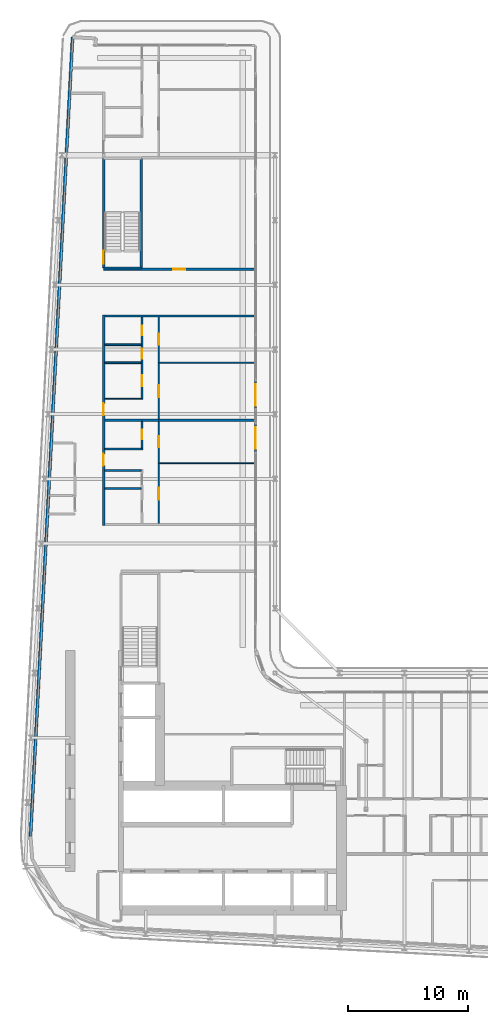
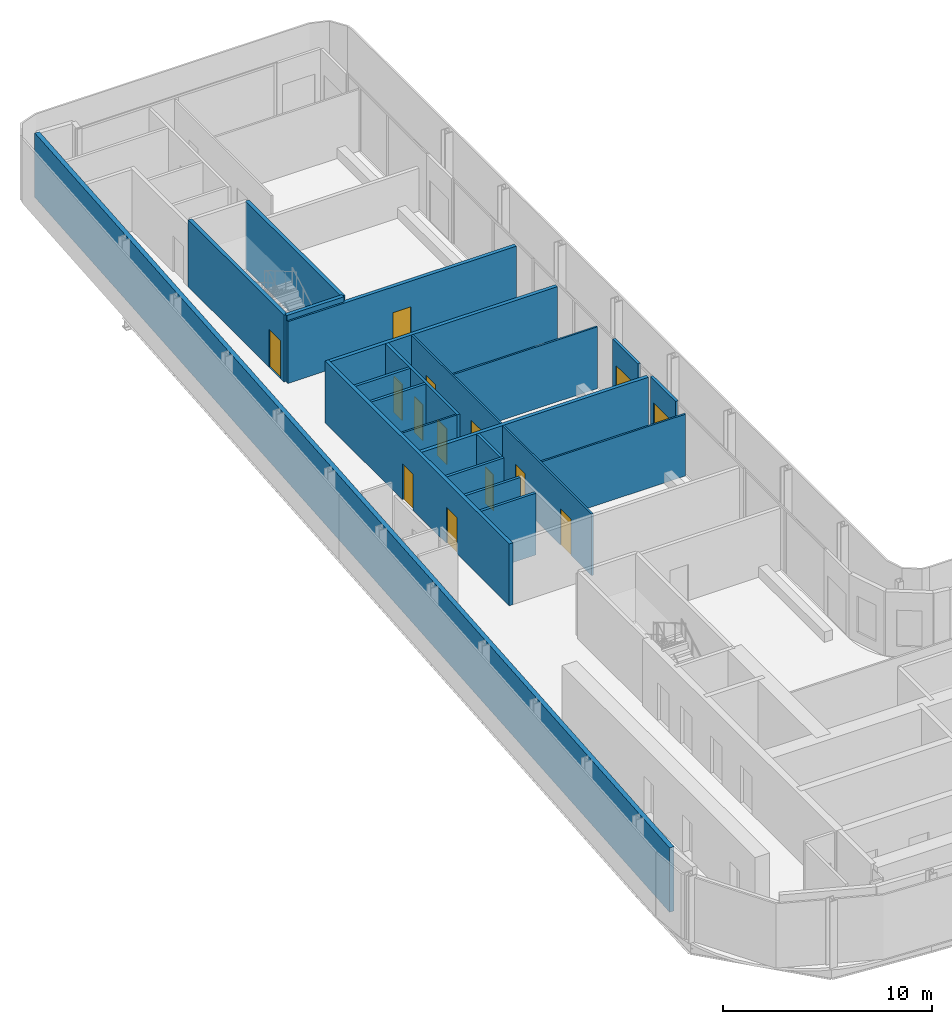
# One storey, part 20 of 30: 22 walls, 14 doors, 14 openings.
"""IFC4 building model written with IfcOpenShell, lengths in metres."""

import ifcopenshell
import ifcopenshell.guid

model = None  # the IFC model being written
_history = None  # IfcOwnerHistory: only IFC2X3 demands one
_inside = {}  # id of a spatial element -> (the spatial element, [elements in it])
_under = {}  # id of a project, library or spatial element -> (it, [spatial elements below it])
_declared = {}  # id of a project -> (the project, [libraries it declares])
_typed = {}  # id of a type object -> (the type object, [elements of that type])
_made_of = {}  # id of a material, layer set ... -> (it, [elements and type objects made of it])


def new_model(schema):
    """Start an empty IFC model of exactly this schema.

    Asked for "IFC4X3", IfcOpenShell would pick the latest addendum, in which some entities
    have other attributes; the version numbers below select the first issue.
    IFC2X3 requires an IfcOwnerHistory on every rooted entity: one is made here for all.
    """
    global model, _history
    if schema == "IFC4X3":
        model = ifcopenshell.file(schema_version=(4, 3, 0, 0))
    else:
        model = ifcopenshell.file(schema=schema)
    _inside.clear()
    _under.clear()
    _declared.clear()
    _typed.clear()
    _made_of.clear()
    _history = None
    if model.schema == "IFC2X3":
        org = make("IfcOrganization", Name="unknown")
        user = make(
            "IfcPersonAndOrganization",
            ThePerson=make("IfcPerson", FamilyName="unknown"),
            TheOrganization=org,
        )
        app = make(
            "IfcApplication",
            ApplicationDeveloper=org,
            Version="unknown",
            ApplicationFullName="unknown",
            ApplicationIdentifier="unknown",
        )
        _history = make(
            "IfcOwnerHistory",
            OwningUser=user,
            OwningApplication=app,
            ChangeAction="ADDED",
            CreationDate=0,
        )
    return model


def make(cls, **values):
    """One entity of the class cls with the attributes given. An attribute that is None is left unset."""
    return model.create_entity(
        cls, **{name: value for name, value in values.items() if value is not None}
    )


def rooted(cls, **values):
    """An entity with a GlobalId (a new one), such as an element, a storey or a relation."""
    return make(cls, GlobalId=ifcopenshell.guid.new(), OwnerHistory=_history, **values)


def si_unit(unit_type, name, prefix=None):
    """IfcSIUnit, for example si_unit("LENGTHUNIT", "METRE", prefix="MILLI")."""
    return make("IfcSIUnit", UnitType=unit_type, Prefix=prefix, Name=name)


def assignment(units):
    """IfcUnitAssignment: the units of a project."""
    return None if units is None else make("IfcUnitAssignment", Units=units)


def point(xyz):
    """IfcCartesianPoint."""
    return None if xyz is None else make("IfcCartesianPoint", Coordinates=xyz)


def direction(xyz):
    """IfcDirection."""
    return None if xyz is None else make("IfcDirection", DirectionRatios=xyz)


def frame(location, z_axis=None, x_axis=None):
    """IfcAxis2Placement3D, a coordinate frame: its origin and axes. An axis left out is left unset."""
    return make(
        "IfcAxis2Placement3D",
        Location=point(location),
        Axis=direction(z_axis),
        RefDirection=direction(x_axis),
    )


def frame_2d(location, x_axis=None):
    """IfcAxis2Placement2D, a coordinate frame in the plane: its origin and x axis."""
    return make(
        "IfcAxis2Placement2D", Location=point(location), RefDirection=direction(x_axis)
    )


def origin():
    """The frame at (0, 0, 0) with its axes left unset."""
    return frame((0.0, 0.0, 0.0))


def place(relative_to, where):
    """IfcLocalPlacement: puts the frame where relative to a parent placement (None: the world)."""
    return make(
        "IfcLocalPlacement", PlacementRelTo=relative_to, RelativePlacement=where
    )


def context(
    kind, dimensions, precision=None, world=None, true_north=None, identifier=None
):
    """IfcGeometricRepresentationContext, for example the 3D "Model" context."""
    return make(
        "IfcGeometricRepresentationContext",
        ContextIdentifier=identifier,
        ContextType=kind,
        CoordinateSpaceDimension=dimensions,
        Precision=precision,
        WorldCoordinateSystem=world,
        TrueNorth=true_north,
    )


def subcontext(parent, identifier, kind, view, scale=None):
    """IfcGeometricRepresentationSubContext, for example "Body" below "Model"."""
    return make(
        "IfcGeometricRepresentationSubContext",
        ContextIdentifier=identifier,
        ContextType=kind,
        ParentContext=parent,
        TargetScale=scale,
        TargetView=view,
    )


def project(units=None, contexts=None):
    """IfcProject with its units and contexts."""
    return rooted(
        "IfcProject",
        Name="project",
        RepresentationContexts=contexts,
        UnitsInContext=assignment(units),
    )


def spatial(cls, under=None, at=None, **own):
    """A site, building, storey or space (cls), placed at a placement, below another one or the project."""
    s = rooted(cls, ObjectPlacement=at, **own)
    if under is not None:
        _under.setdefault(under.id(), (under, []))[1].append(s)
    return s


def profile(cls, at=None, kind="AREA", **sizes):
    """A parametric profile (cls). Its sizes go by their IFC names, for example OverallWidth=200.0."""
    return make(cls, ProfileType=kind, Position=at, **sizes)


def rectangle(**sizes):
    """IfcRectangleProfileDef."""
    return profile("IfcRectangleProfileDef", **sizes)


def extrude(swept, where, along, depth):
    """IfcExtrudedAreaSolid: the profile swept, set in the frame where, extruded along a direction by depth."""
    return make(
        "IfcExtrudedAreaSolid",
        SweptArea=swept,
        Position=where,
        ExtrudedDirection=direction(along),
        Depth=depth,
    )


def shape(context_of_items, identifier, shape_type, items):
    """IfcShapeRepresentation: the items that make up one representation, for example the "Body"."""
    return make(
        "IfcShapeRepresentation",
        ContextOfItems=context_of_items,
        RepresentationIdentifier=identifier,
        RepresentationType=shape_type,
        Items=items,
    )


def source(mapping_origin, context_of_items, identifier, shape_type, items):
    """IfcRepresentationMap: a shape defined once, which mapped items show again and again."""
    return make(
        "IfcRepresentationMap",
        MappingOrigin=mapping_origin,
        MappedRepresentation=shape(context_of_items, identifier, shape_type, items),
    )


def transform(
    local_origin,
    x_axis=None,
    y_axis=None,
    z_axis=None,
    scale=None,
    scale2=None,
    scale3=None,
    uniform=True,
):
    """IfcCartesianTransformationOperator3D, or its non-uniform kind. x_axis, y_axis, z_axis: its Axis1, 2, 3."""
    if uniform:
        return make(
            "IfcCartesianTransformationOperator3D",
            Axis1=direction(x_axis),
            Axis2=direction(y_axis),
            LocalOrigin=point(local_origin),
            Scale=scale,
            Axis3=direction(z_axis),
        )
    return make(
        "IfcCartesianTransformationOperator3DnonUniform",
        Axis1=direction(x_axis),
        Axis2=direction(y_axis),
        LocalOrigin=point(local_origin),
        Scale=scale,
        Axis3=direction(z_axis),
        Scale2=scale2,
        Scale3=scale3,
    )


def mapped(mapping_source, mapping_target):
    """IfcMappedItem: shows the shape of a source again, moved by a transform."""
    return make(
        "IfcMappedItem", MappingSource=mapping_source, MappingTarget=mapping_target
    )


def material(Name=None, Category=None):
    """IfcMaterial."""
    return make("IfcMaterial", Name=Name, Category=Category)


def layer(
    of_material, thickness, ventilated=None, Name=None, Category=None, Priority=None
):
    """IfcMaterialLayer: one layer of a wall or slab, of a material (None: an air gap)."""
    return make(
        "IfcMaterialLayer",
        Material=of_material,
        LayerThickness=thickness,
        IsVentilated=ventilated,
        Name=Name,
        Category=Category,
        Priority=Priority,
    )


def layer_set(layers, Name=None):
    """IfcMaterialLayerSet."""
    return make("IfcMaterialLayerSet", MaterialLayers=layers, LayerSetName=Name)


def made_of(thing, what):
    """Note that an element or type object is made of a material, layer set ...; save() writes the relation."""
    if what is not None:
        _made_of.setdefault(what.id(), (what, []))[1].append(thing)
    return thing


def type_object(cls, material=None, **own):
    """A type object (cls), such as IfcWallType, which elements share."""
    return made_of(rooted(cls, **own), material)


def element(
    cls,
    number,
    at=None,
    inside=None,
    cuts=None,
    type_object=None,
    material=None,
    context=None,
    identifier="Body",
    shape_type=None,
    held_by="IfcProductDefinitionShape",
    body=None,
    shapes=None,
    **own,
):
    """One element of the class cls, such as IfcWall. Its Tag is "e" and its number.

    at: its placement. inside: the storey or other place that contains it. cuts: it is an
    opening in that element (IfcRelVoidsElement). A single representation is given by context,
    identifier, shape_type and body (its items); several are given by shapes. held_by: the class
    of the entity that holds the representations. save() writes the other relations.
    """
    e = rooted(cls, Tag="e%d" % number, ObjectPlacement=at, **own)
    if body is not None:
        shapes = [shape(context, identifier, shape_type, body)]
    if shapes is not None:
        e.Representation = make(held_by, Representations=shapes)
    if inside is not None:
        _inside.setdefault(inside.id(), (inside, []))[1].append(e)
    if cuts is not None:
        rooted(
            "IfcRelVoidsElement", RelatingBuildingElement=cuts, RelatedOpeningElement=e
        )
    if type_object is not None:
        _typed.setdefault(type_object.id(), (type_object, []))[1].append(e)
    return made_of(e, material)


def fill(opening, filler):
    """IfcRelFillsElement: the door or window that sits in an opening."""
    return rooted(
        "IfcRelFillsElement",
        RelatingOpeningElement=opening,
        RelatedBuildingElement=filler,
    )


def aggregate(whole, parts):
    """IfcRelAggregates: a whole, such as a stair, and the parts it consists of."""
    return rooted("IfcRelAggregates", RelatingObject=whole, RelatedObjects=parts)


def save(model, path):
    """Write the relations noted so far, then the file.

    IfcRelAggregates (storeys below a building ...), IfcRelContainedInSpatialStructure (elements
    in a storey), IfcRelDefinesByType, IfcRelAssociatesMaterial and IfcRelDeclares: one each for
    every whole, place, type object, material and project.
    """
    for whole, parts in _under.values():
        aggregate(whole, parts)
    for where, things in _inside.values():
        rooted(
            "IfcRelContainedInSpatialStructure",
            RelatedElements=things,
            RelatingStructure=where,
        )
    for kind, things in _typed.values():
        rooted("IfcRelDefinesByType", RelatedObjects=things, RelatingType=kind)
    for what, things in _made_of.values():
        rooted("IfcRelAssociatesMaterial", RelatedObjects=things, RelatingMaterial=what)
    for by, libraries in _declared.values():
        rooted("IfcRelDeclares", RelatingContext=by, RelatedDefinitions=libraries)
    model.write(path)


model = new_model("IFC4")

# Units and contexts
model_context = context("Model", 3, precision=1e-05, world=origin(), true_north=direction((0.0, 1.0)))
body_context = subcontext(model_context, "Body", "Model", "MODEL_VIEW")
ifc_project = project(units=[si_unit("LENGTHUNIT", "METRE"), si_unit("AREAUNIT", "SQUARE_METRE"), si_unit("VOLUMEUNIT", "CUBIC_METRE"), si_unit("PLANEANGLEUNIT", "RADIAN"), si_unit("MASSUNIT", "GRAM", prefix="KILO")], contexts=[model_context])

# Site, building, storey
site_placement = place(None, origin())
site = spatial("IfcSite", under=ifc_project, at=site_placement, CompositionType="ELEMENT")
building_placement = place(site_placement, origin())
building = spatial("IfcBuilding", under=site, at=building_placement, Name="Kheshtan School and Residences Tower", CompositionType="ELEMENT")
storey_placement = place(building_placement, frame((0.0, 0.0, 199.39990234375)))
storey = spatial("IfcBuildingStorey", under=building, at=storey_placement, Name="L47", CompositionType="ELEMENT", Elevation=199.39990234375)

# Wall, openings, doors
ifc_material_1 = material(Name="Gypsum board on steel studs with fire boards", Category="steel")
ifc_layer_1 = layer(ifc_material_1, 0.199951171875)
ifc_layer_set_1 = layer_set([ifc_layer_1], Name="Corridor wall 200")
wall_type_1 = type_object("IfcWallType", Name="Corridor wall 200", PredefinedType="PARTITIONING", material=ifc_layer_set_1)
wall_1_placement = place(storey_placement, frame((33.300048828125, 57.89990234375, 0.0), z_axis=(0.0, 0.0, 1.0), x_axis=(0.0, 1.0, 0.0)))
wall_1 = element("IfcWall", 1, at=wall_1_placement, inside=storey, type_object=wall_type_1, Name="Partition L47-003", PredefinedType="PARTITIONING", context=body_context, shape_type="SweptSolid", body=[
    extrude(rectangle(XDim=17.60009765625, YDim=0.199951171875, at=frame_2d((8.800048828125, 0.0))), origin(), (0.0, 0.0, 1.0), 3.60009765625),
])
opening_1_placement = place(wall_1_placement, frame((5.0, 0.0, 0.0)))
opening_1 = element("IfcOpeningElement", 2, at=opening_1_placement, cuts=wall_1, Name="Opening D46-038", PredefinedType="OPENING", context=body_context, shape_type="SweptSolid", body=[
    extrude(rectangle(XDim=1.0, YDim=2.10009765625, at=frame_2d((0.5, 1.050048828125))), frame((0.0, 0.10986328125, 0.0), z_axis=(0.0, -1.0, 0.0), x_axis=(1.0, 0.0, 0.0)), (0.0, 0.0, 1.0), 0.219970703125),
])
opening_2_placement = place(wall_1_placement, frame((9.199951171875, 0.0, 0.0)))
opening_2 = element("IfcOpeningElement", 3, at=opening_2_placement, cuts=wall_1, Name="Opening D46-044", PredefinedType="OPENING", context=body_context, shape_type="SweptSolid", body=[
    extrude(rectangle(XDim=1.0, YDim=2.10009765625, at=frame_2d((0.5, 1.050048828125))), frame((0.0, 0.10986328125, 0.0), z_axis=(0.0, -1.0, 0.0), x_axis=(1.0, 0.0, 0.0)), (0.0, 0.0, 1.0), 0.219970703125),
])
ifc_material_2 = material(Name="Steel-framed fire-resisting door leaf", Category="steel")
door_type_1 = type_object("IfcDoorType", Name="Fire door FD30S 1000 x 2100", OperationType="SINGLE_SWING_LEFT", PredefinedType="DOOR", material=ifc_material_2)
shared_shape_1 = source(origin(), body_context, "Body", "SweptSolid", [
    extrude(rectangle(XDim=1.0, YDim=2.10009765625, at=frame_2d((0.5, 1.050048828125))), frame((0.0, 0.02490234375, 0.0), z_axis=(0.0, -1.0, 0.0), x_axis=(1.0, 0.0, 0.0)), (0.0, 0.0, 1.0), 0.050048828125),
])
door_1_placement = place(opening_1_placement, origin())
door_1 = element("IfcDoor", 4, at=door_1_placement, inside=storey, type_object=door_type_1, Name="Door D46-038", OperationType="SINGLE_SWING_LEFT", OverallHeight=2.10009765625, OverallWidth=1.0, PredefinedType="DOOR", context=body_context, shape_type="MappedRepresentation", body=[
    mapped(shared_shape_1, transform((0.0, 0.0, 0.0), x_axis=(1.0, 0.0, 0.0), y_axis=(0.0, 1.0, 0.0), z_axis=(0.0, 0.0, 1.0), scale=1.0)),
])
fill(opening_1, door_1)
door_2_placement = place(opening_2_placement, origin())
door_2 = element("IfcDoor", 5, at=door_2_placement, inside=storey, type_object=door_type_1, Name="Door D46-044", OperationType="SINGLE_SWING_RIGHT", OverallHeight=2.10009765625, OverallWidth=1.0, PredefinedType="DOOR", context=body_context, shape_type="MappedRepresentation", body=[
    mapped(shared_shape_1, transform((0.0, 0.0, 0.0), x_axis=(1.0, 0.0, 0.0), y_axis=(0.0, 1.0, 0.0), z_axis=(0.0, 0.0, 1.0), scale=1.0)),
])
fill(opening_2, door_2)

# Wall, opening, door
wall_2_placement = place(storey_placement, frame((33.300048828125, 79.300048828125, 0.0), z_axis=(0.0, 0.0, 1.0), x_axis=(1.0, 0.0, 0.0)))
wall_2 = element("IfcWall", 6, at=wall_2_placement, inside=storey, type_object=wall_type_1, Name="Partition L47-004", PredefinedType="PARTITIONING", context=body_context, shape_type="SweptSolid", body=[
    extrude(rectangle(XDim=12.599853515625, YDim=0.199951171875, at=frame_2d((6.2998046875, 0.0))), origin(), (0.0, 0.0, 1.0), 3.60009765625),
])
opening_3_placement = place(wall_2_placement, frame((5.794921875, 0.0, 0.0)))
opening_3 = element("IfcOpeningElement", 7, at=opening_3_placement, cuts=wall_2, Name="Opening D46-057", PredefinedType="OPENING", context=body_context, shape_type="SweptSolid", body=[
    extrude(rectangle(XDim=1.0, YDim=2.10009765625, at=frame_2d((0.5, 1.050048828125))), frame((0.0, 0.10986328125, 0.0), z_axis=(0.0, -1.0, 0.0), x_axis=(1.0, 0.0, 0.0)), (0.0, 0.0, 1.0), 0.219970703125),
])
door_type_2 = type_object("IfcDoorType", Name="Fire door FD60 1000 x 2100", OperationType="SINGLE_SWING_LEFT", PredefinedType="DOOR", material=ifc_material_2)
shared_shape_2 = source(origin(), body_context, "Body", "SweptSolid", [
    extrude(rectangle(XDim=1.0, YDim=2.10009765625, at=frame_2d((0.5, 1.050048828125))), frame((0.0, 0.02490234375, 0.0), z_axis=(0.0, -1.0, 0.0), x_axis=(1.0, 0.0, 0.0)), (0.0, 0.0, 1.0), 0.050048828125),
])
door_3_placement = place(opening_3_placement, origin())
door_3 = element("IfcDoor", 8, at=door_3_placement, inside=storey, type_object=door_type_2, Name="Door D46-057", OperationType="SINGLE_SWING_RIGHT", OverallHeight=2.10009765625, OverallWidth=1.0, PredefinedType="DOOR", context=body_context, shape_type="MappedRepresentation", body=[
    mapped(shared_shape_2, transform((0.0, 0.0, 0.0), x_axis=(1.0, 0.0, 0.0), y_axis=(0.0, 1.0, 0.0), z_axis=(0.0, 0.0, 1.0), scale=1.0)),
])
fill(opening_3, door_3)

# Walls
wall_3_placement = place(storey_placement, frame((33.39990234375, 75.39990234375, 0.0), z_axis=(0.0, 0.0, 1.0), x_axis=(1.0, 0.0, 0.0)))
element("IfcWall", 9, at=wall_3_placement, inside=storey, type_object=wall_type_1, Name="Partition L47-014", PredefinedType="PARTITIONING", context=body_context, shape_type="SweptSolid", body=[
    extrude(rectangle(XDim=12.5, YDim=0.199951171875, at=frame_2d((6.25, 0.0))), origin(), (0.0, 0.0, 1.0), 3.60009765625),
])
ifc_material_3 = material(Name="Concrete C40/50 with ceramic cladding and mineral wool insulation", Category="concrete")
ifc_layer_2 = layer(ifc_material_3, 0.25)
ifc_layer_set_2 = layer_set([ifc_layer_2], Name="External wall 250 ceramic clad")
wall_type_2 = type_object("IfcWallType", Name="External wall 250 ceramic clad", PredefinedType="SOLIDWALL", material=ifc_layer_set_2)
wall_4_placement = place(storey_placement, frame((27.195068359375, 31.968994140625, 0.0), z_axis=(0.0, 0.0, 1.0), x_axis=(0.052554995867, 0.998618031286, 0.0)))
element("IfcWall", 10, at=wall_4_placement, inside=storey, type_object=wall_type_2, Name="External wall L47 4", PredefinedType="SOLIDWALL", context=body_context, shape_type="SweptSolid", body=[
    extrude(rectangle(XDim=66.787353515625, YDim=0.25, at=frame_2d((33.3935546875, 0.0))), origin(), (0.0, 0.0, 1.0), 3.75),
])

# Wall, opening, door
ifc_material_4 = material(Name="Aluminium frame wall with insulated infill", Category="aluminium")
ifc_layer_3 = layer(ifc_material_4, 0.14990234375)
ifc_layer_set_3 = layer_set([ifc_layer_3], Name="Glazing frame wall 150")
wall_type_3 = type_object("IfcWallType", Name="Glazing frame wall 150", PredefinedType="SOLIDWALL", material=ifc_layer_set_3)
wall_5_placement = place(storey_placement, frame((45.97509765625, 70.01806640625, 0.0), z_axis=(0.0, 0.0, 1.0), x_axis=(0.0, -1.0, 0.0)))
wall_5 = element("IfcWall", 11, at=wall_5_placement, inside=storey, type_object=wall_type_3, Name="Balcony door wall L47 8.3", PredefinedType="SOLIDWALL", context=body_context, shape_type="SweptSolid", body=[
    extrude(rectangle(XDim=2.400146484375, YDim=0.14990234375, at=frame_2d((1.2001953125, 0.0))), origin(), (0.0, 0.0, 1.0), 3.75),
])
opening_4_placement = place(wall_5_placement, frame((0.300048828125, 0.0, 0.0)))
opening_4 = element("IfcOpeningElement", 12, at=opening_4_placement, cuts=wall_5, Name="Opening BD", PredefinedType="OPENING", context=body_context, shape_type="SweptSolid", body=[
    extrude(rectangle(XDim=1.800048828125, YDim=2.39990234375, at=frame_2d((0.89990234375, 1.199951171875))), frame((0.0, 0.0849609375, 0.0), z_axis=(0.0, -1.0, 0.0), x_axis=(1.0, 0.0, 0.0)), (0.0, 0.0, 1.0), 0.169921875),
])
ifc_material_5 = material(Name="Clear low-e glass in thermally broken aluminium frame", Category="aluminium")
door_type_3 = type_object("IfcDoorType", Name="Balcony sliding door", OperationType="SLIDING_TO_LEFT", PredefinedType="DOOR", material=ifc_material_5)
shared_shape_3 = source(origin(), body_context, "Body", "SweptSolid", [
    extrude(rectangle(XDim=1.800048828125, YDim=2.39990234375, at=frame_2d((0.89990234375, 1.199951171875))), frame((0.0, 0.02490234375, 0.0), z_axis=(0.0, -1.0, 0.0), x_axis=(1.0, 0.0, 0.0)), (0.0, 0.0, 1.0), 0.050048828125),
])
door_4_placement = place(opening_4_placement, origin())
door_4 = element("IfcDoor", 13, at=door_4_placement, inside=storey, type_object=door_type_3, Name="Balcony door L47 8.3", OperationType="SLIDING_TO_LEFT", OverallHeight=2.39990234375, OverallWidth=1.800048828125, PredefinedType="DOOR", context=body_context, shape_type="MappedRepresentation", body=[
    mapped(shared_shape_3, transform((0.0, 0.0, 0.0), x_axis=(1.0, 0.0, 0.0), y_axis=(0.0, 1.0, 0.0), z_axis=(0.0, 0.0, 1.0), scale=1.0)),
])
fill(opening_4, door_4)

wall_6_placement = place(storey_placement, frame((45.97509765625, 66.41796875, 0.0), z_axis=(0.0, 0.0, 1.0), x_axis=(0.0, -1.0, 0.0)))
wall_6 = element("IfcWall", 14, at=wall_6_placement, inside=storey, type_object=wall_type_3, Name="Balcony door wall L47 8.4", PredefinedType="SOLIDWALL", context=body_context, shape_type="SweptSolid", body=[
    extrude(rectangle(XDim=2.39990234375, YDim=0.14990234375, at=frame_2d((1.199951171875, 0.0))), origin(), (0.0, 0.0, 1.0), 3.75),
])
opening_5_placement = place(wall_6_placement, frame((0.300048828125, 0.0, 0.0)))
opening_5 = element("IfcOpeningElement", 15, at=opening_5_placement, cuts=wall_6, Name="Opening BD", PredefinedType="OPENING", context=body_context, shape_type="SweptSolid", body=[
    extrude(rectangle(XDim=1.800048828125, YDim=2.39990234375, at=frame_2d((0.89990234375, 1.199951171875))), frame((0.0, 0.0849609375, 0.0), z_axis=(0.0, -1.0, 0.0), x_axis=(1.0, 0.0, 0.0)), (0.0, 0.0, 1.0), 0.169921875),
])
door_5_placement = place(opening_5_placement, origin())
door_5 = element("IfcDoor", 16, at=door_5_placement, inside=storey, type_object=door_type_3, Name="Balcony door L47 8.4", OperationType="SLIDING_TO_LEFT", OverallHeight=2.39990234375, OverallWidth=1.800048828125, PredefinedType="DOOR", context=body_context, shape_type="MappedRepresentation", body=[
    mapped(shared_shape_3, transform((0.0, 0.0, 0.0), x_axis=(1.0, 0.0, 0.0), y_axis=(0.0, 1.0, 0.0), z_axis=(0.0, 0.0, 1.0), scale=1.0)),
])
fill(opening_5, door_5)

# Wall
ifc_material_6 = material(Name="Gypsum board on steel studs", Category="steel")
ifc_layer_4 = layer(ifc_material_6, 0.10009765625)
ifc_layer_set_4 = layer_set([ifc_layer_4], Name="Gypsum partition 100")
wall_type_4 = type_object("IfcWallType", Name="Gypsum partition 100", PredefinedType="PARTITIONING", material=ifc_layer_set_4)
wall_7_placement = place(storey_placement, frame((33.39990234375, 68.5, 0.0), z_axis=(0.0, 0.0, 1.0), x_axis=(1.0, 0.0, 0.0)))
element("IfcWall", 17, at=wall_7_placement, inside=storey, type_object=wall_type_4, Name="Partition L47-011", PredefinedType="PARTITIONING", context=body_context, shape_type="SweptSolid", body=[
    extrude(rectangle(XDim=3.025146484375, YDim=0.10009765625, at=frame_2d((1.5126953125, 0.0))), origin(), (0.0, 0.0, 1.0), 3.60009765625),
])

# Wall, openings, doors
wall_8_placement = place(storey_placement, frame((37.89990234375, 58.10009765625, 0.0), z_axis=(0.0, 0.0, 1.0), x_axis=(0.0, 1.0, 0.0)))
wall_8 = element("IfcWall", 18, at=wall_8_placement, inside=storey, type_object=wall_type_4, Name="Partition L47-025", PredefinedType="PARTITIONING", context=body_context, shape_type="SweptSolid", body=[
    extrude(rectangle(XDim=8.5, YDim=0.10009765625, at=frame_2d((4.25, 0.0))), origin(), (0.0, 0.0, 1.0), 3.60009765625),
])
opening_6_placement = place(wall_8_placement, frame((6.35009765625, 0.0, 0.0)))
opening_6 = element("IfcOpeningElement", 19, at=opening_6_placement, cuts=wall_8, Name="Opening D46-037", PredefinedType="OPENING", context=body_context, shape_type="SweptSolid", body=[
    extrude(rectangle(XDim=0.89990234375, YDim=2.10009765625, at=frame_2d((0.449951171875, 1.050048828125))), frame((0.0, 0.06005859375, 0.0), z_axis=(0.0, -1.0, 0.0), x_axis=(1.0, 0.0, 0.0)), (0.0, 0.0, 1.0), 0.1201171875),
])
opening_7_placement = place(wall_8_placement, frame((1.949951171875, 0.0, 0.0)))
opening_7 = element("IfcOpeningElement", 20, at=opening_7_placement, cuts=wall_8, Name="Opening D46-040", PredefinedType="OPENING", context=body_context, shape_type="SweptSolid", body=[
    extrude(rectangle(XDim=1.0, YDim=2.10009765625, at=frame_2d((0.5, 1.050048828125))), frame((0.0, 0.06005859375, 0.0), z_axis=(0.0, -1.0, 0.0), x_axis=(1.0, 0.0, 0.0)), (0.0, 0.0, 1.0), 0.1201171875),
])
ifc_material_7 = material(Name="Veneered timber door leaf", Category="wood")
door_type_4 = type_object("IfcDoorType", Name="Door 1000 x 2100", OperationType="SINGLE_SWING_LEFT", PredefinedType="DOOR", material=ifc_material_7)
shared_shape_4 = source(origin(), body_context, "Body", "SweptSolid", [
    extrude(rectangle(XDim=1.0, YDim=2.10009765625, at=frame_2d((0.5, 1.050048828125))), frame((0.0, 0.02490234375, 0.0), z_axis=(0.0, -1.0, 0.0), x_axis=(1.0, 0.0, 0.0)), (0.0, 0.0, 1.0), 0.050048828125),
])
door_6_placement = place(opening_7_placement, origin())
door_6 = element("IfcDoor", 21, at=door_6_placement, inside=storey, type_object=door_type_4, Name="Door D46-040", OperationType="SINGLE_SWING_RIGHT", OverallHeight=2.10009765625, OverallWidth=1.0, PredefinedType="DOOR", context=body_context, shape_type="MappedRepresentation", body=[
    mapped(shared_shape_4, transform((0.0, 0.0, 0.0), x_axis=(1.0, 0.0, 0.0), y_axis=(0.0, 1.0, 0.0), z_axis=(0.0, 0.0, 1.0), scale=1.0)),
])
fill(opening_7, door_6)
door_type_5 = type_object("IfcDoorType", Name="Door 900 x 2100", OperationType="SINGLE_SWING_LEFT", PredefinedType="DOOR", material=ifc_material_7)
shared_shape_5 = source(origin(), body_context, "Body", "SweptSolid", [
    extrude(rectangle(XDim=0.89990234375, YDim=2.10009765625, at=frame_2d((0.449951171875, 1.050048828125))), frame((0.0, 0.02490234375, 0.0), z_axis=(0.0, -1.0, 0.0), x_axis=(1.0, 0.0, 0.0)), (0.0, 0.0, 1.0), 0.050048828125),
])
door_7_placement = place(opening_6_placement, origin())
door_7 = element("IfcDoor", 22, at=door_7_placement, inside=storey, type_object=door_type_5, Name="Door D46-037", OperationType="SINGLE_SWING_RIGHT", OverallHeight=2.10009765625, OverallWidth=0.89990234375, PredefinedType="DOOR", context=body_context, shape_type="MappedRepresentation", body=[
    mapped(shared_shape_5, transform((0.0, 0.0, 0.0), x_axis=(1.0, 0.0, 0.0), y_axis=(0.0, 1.0, 0.0), z_axis=(0.0, 0.0, 1.0), scale=1.0)),
])
fill(opening_6, door_7)

wall_9_placement = place(storey_placement, frame((37.89990234375, 66.800048828125, 0.0), z_axis=(0.0, 0.0, 1.0), x_axis=(0.0, 1.0, 0.0)))
wall_9 = element("IfcWall", 23, at=wall_9_placement, inside=storey, type_object=wall_type_4, Name="Partition L47-026", PredefinedType="PARTITIONING", context=body_context, shape_type="SweptSolid", body=[
    extrude(rectangle(XDim=8.5, YDim=0.10009765625, at=frame_2d((4.25, 0.0))), origin(), (0.0, 0.0, 1.0), 3.60009765625),
])
opening_8_placement = place(wall_9_placement, frame((6.199951171875, 0.0, 0.0)))
opening_8 = element("IfcOpeningElement", 24, at=opening_8_placement, cuts=wall_9, Name="Opening D46-043", PredefinedType="OPENING", context=body_context, shape_type="SweptSolid", body=[
    extrude(rectangle(XDim=0.89990234375, YDim=2.10009765625, at=frame_2d((0.449951171875, 1.050048828125))), frame((0.0, 0.06005859375, 0.0), z_axis=(0.0, -1.0, 0.0), x_axis=(1.0, 0.0, 0.0)), (0.0, 0.0, 1.0), 0.1201171875),
])
opening_9_placement = place(wall_9_placement, frame((1.800048828125, 0.0, 0.0)))
opening_9 = element("IfcOpeningElement", 25, at=opening_9_placement, cuts=wall_9, Name="Opening D46-046", PredefinedType="OPENING", context=body_context, shape_type="SweptSolid", body=[
    extrude(rectangle(XDim=1.0, YDim=2.10009765625, at=frame_2d((0.5, 1.050048828125))), frame((0.0, 0.06005859375, 0.0), z_axis=(0.0, -1.0, 0.0), x_axis=(1.0, 0.0, 0.0)), (0.0, 0.0, 1.0), 0.1201171875),
])
door_8_placement = place(opening_9_placement, origin())
door_8 = element("IfcDoor", 26, at=door_8_placement, inside=storey, type_object=door_type_4, Name="Door D46-046", OperationType="SINGLE_SWING_RIGHT", OverallHeight=2.10009765625, OverallWidth=1.0, PredefinedType="DOOR", context=body_context, shape_type="MappedRepresentation", body=[
    mapped(shared_shape_4, transform((0.0, 0.0, 0.0), x_axis=(1.0, 0.0, 0.0), y_axis=(0.0, 1.0, 0.0), z_axis=(0.0, 0.0, 1.0), scale=1.0)),
])
fill(opening_9, door_8)
door_9_placement = place(opening_8_placement, origin())
door_9 = element("IfcDoor", 27, at=door_9_placement, inside=storey, type_object=door_type_5, Name="Door D46-043", OperationType="SINGLE_SWING_RIGHT", OverallHeight=2.10009765625, OverallWidth=0.89990234375, PredefinedType="DOOR", context=body_context, shape_type="MappedRepresentation", body=[
    mapped(shared_shape_5, transform((0.0, 0.0, 0.0), x_axis=(1.0, 0.0, 0.0), y_axis=(0.0, 1.0, 0.0), z_axis=(0.0, 0.0, 1.0), scale=1.0)),
])
fill(opening_8, door_9)

# Walls
for number, where, z_axis, x_axis, name in (
    (28, (37.949951171875, 63.10009765625, 0.0), (0.0, 0.0, 1.0), (1.0, 0.0, 0.0), "Partition L47-028"),
    (29, (37.949951171875, 71.5, 0.0), (0.0, 0.0, 1.0), (1.0, 0.0, 0.0), "Partition L47-029"),
):
    element("IfcWall", number, at=place(storey_placement, frame(where, z_axis=z_axis, x_axis=x_axis)), inside=storey, type_object=wall_type_4, Name=name, PredefinedType="PARTITIONING", context=body_context, shape_type="SweptSolid", body=[
        extrude(rectangle(XDim=7.949951171875, YDim=0.10009765625, at=frame_2d((3.97509765625, 0.0))), origin(), (0.0, 0.0, 1.0), 3.60009765625),
    ])
ifc_material_8 = material(Name="Concrete C40/50", Category="concrete")
ifc_layer_5 = layer(ifc_material_8, 0.199951171875)
ifc_layer_set_5 = layer_set([ifc_layer_5], Name="Stair enclosure wall 200 Concrete C40/50")
wall_type_5 = type_object("IfcWallType", Name="Stair enclosure wall 200 Concrete C40/50", PredefinedType="SHEAR", material=ifc_layer_set_5)
wall_10_placement = place(storey_placement, frame((33.300048828125, 79.39990234375, 0.0), z_axis=(0.0, 0.0, 1.0), x_axis=(1.0, 0.0, 0.0)))
element("IfcWall", 30, at=wall_10_placement, inside=storey, type_object=wall_type_5, Name="Stair enclosure wall ST3", PredefinedType="SHEAR", context=body_context, shape_type="SweptSolid", body=[
    extrude(rectangle(XDim=3.14990234375, YDim=0.199951171875, at=frame_2d((1.574951171875, 0.0))), origin(), (0.0, 0.0, 1.0), 3.900146484375),
])

# Wall, opening, door
wall_11_placement = place(storey_placement, frame((33.300048828125, 79.39990234375, 0.0), z_axis=(0.0, 0.0, 1.0), x_axis=(0.0, 1.0, 0.0)))
wall_11 = element("IfcWall", 31, at=wall_11_placement, inside=storey, type_object=wall_type_5, Name="Stair enclosure wall ST3", PredefinedType="SHEAR", context=body_context, shape_type="SweptSolid", body=[
    extrude(rectangle(XDim=9.16015625, YDim=0.199951171875, at=frame_2d((4.580078125, 0.0))), origin(), (0.0, 0.0, 1.0), 3.900146484375),
])
opening_10_placement = place(wall_11_placement, frame((0.35009765625, 0.0, 0.0)))
opening_10 = element("IfcOpeningElement", 32, at=opening_10_placement, cuts=wall_11, Name="Opening ST3D", PredefinedType="OPENING", context=body_context, shape_type="SweptSolid", body=[
    extrude(rectangle(XDim=1.10009765625, YDim=2.199951171875, at=frame_2d((0.550048828125, 1.10009765625))), frame((0.0, 0.10986328125, 0.0), z_axis=(0.0, -1.0, 0.0), x_axis=(1.0, 0.0, 0.0)), (0.0, 0.0, 1.0), 0.219970703125),
])
ifc_material_9 = material(Name="Steel door leaf, galvanised", Category="steel")
door_type_6 = type_object("IfcDoorType", Name="Stair door 1100 steel 90 min", OperationType="SINGLE_SWING_LEFT", PredefinedType="DOOR", material=ifc_material_9)
shared_shape_6 = source(origin(), body_context, "Body", "SweptSolid", [
    extrude(rectangle(XDim=1.10009765625, YDim=2.199951171875, at=frame_2d((0.550048828125, 1.10009765625))), frame((0.0, 0.02490234375, 0.0), z_axis=(0.0, -1.0, 0.0), x_axis=(1.0, 0.0, 0.0)), (0.0, 0.0, 1.0), 0.050048828125),
])
door_10_placement = place(opening_10_placement, origin())
door_10 = element("IfcDoor", 33, at=door_10_placement, inside=storey, type_object=door_type_6, Name="Stair ST3 door", OperationType="SINGLE_SWING_RIGHT", OverallHeight=2.199951171875, OverallWidth=1.10009765625, PredefinedType="DOOR", context=body_context, shape_type="MappedRepresentation", body=[
    mapped(shared_shape_6, transform((0.0, 0.0, 0.0), x_axis=(1.0, 0.0, 0.0), y_axis=(0.0, 1.0, 0.0), z_axis=(0.0, 0.0, 1.0), scale=1.0)),
])
fill(opening_10, door_10)

# Walls
wall_12_placement = place(storey_placement, frame((36.449951171875, 79.39990234375, 0.0), z_axis=(0.0, 0.0, 1.0), x_axis=(0.0, 1.0, 0.0)))
element("IfcWall", 34, at=wall_12_placement, inside=storey, type_object=wall_type_5, Name="Stair enclosure wall ST3", PredefinedType="SHEAR", context=body_context, shape_type="SweptSolid", body=[
    extrude(rectangle(XDim=9.16015625, YDim=0.199951171875, at=frame_2d((4.580078125, 0.0))), origin(), (0.0, 0.0, 1.0), 3.900146484375),
])
ifc_material_10 = material(Name="Twin gypsum board on steel studs with mineral wool", Category="steel")
ifc_layer_6 = layer(ifc_material_10, 0.199951171875)
ifc_layer_set_6 = layer_set([ifc_layer_6], Name="Unit demising wall 200")
wall_type_6 = type_object("IfcWallType", Name="Unit demising wall 200", PredefinedType="PARTITIONING", material=ifc_layer_set_6)
wall_13_placement = place(storey_placement, frame((33.39990234375, 66.699951171875, 0.0), z_axis=(0.0, 0.0, 1.0), x_axis=(1.0, 0.0, 0.0)))
element("IfcWall", 35, at=wall_13_placement, inside=storey, type_object=wall_type_6, Name="Partition L47-010", PredefinedType="PARTITIONING", context=body_context, shape_type="SweptSolid", body=[
    extrude(rectangle(XDim=12.5, YDim=0.199951171875, at=frame_2d((6.25, 0.0))), origin(), (0.0, 0.0, 1.0), 3.60009765625),
])
ifc_material_11 = material(Name="Moisture-resistant gypsum board on steel studs", Category="steel")
ifc_layer_7 = layer(ifc_material_11, 0.14990234375)
ifc_layer_set_7 = layer_set([ifc_layer_7], Name="Wet-room partition 150")
wall_type_7 = type_object("IfcWallType", Name="Wet-room partition 150", PredefinedType="PARTITIONING", material=ifc_layer_set_7)
for number, where, z_axis, x_axis, name in (
    (36, (33.39990234375, 61.0, 0.0), (0.0, 0.0, 1.0), (1.0, 0.0, 0.0), "Partition L47-007"),
    (37, (33.39990234375, 62.5, 0.0), (0.0, 0.0, 1.0), (1.0, 0.0, 0.0), "Partition L47-008"),
):
    element("IfcWall", number, at=place(storey_placement, frame(where, z_axis=z_axis, x_axis=x_axis)), inside=storey, type_object=wall_type_7, Name=name, PredefinedType="PARTITIONING", context=body_context, shape_type="SweptSolid", body=[
        extrude(rectangle(XDim=3.025146484375, YDim=0.14990234375, at=frame_2d((1.5126953125, 0.0))), origin(), (0.0, 0.0, 1.0), 3.60009765625),
    ])
wall_14_placement = place(storey_placement, frame((33.39990234375, 64.300048828125, 0.0), z_axis=(0.0, 0.0, 1.0), x_axis=(1.0, 0.0, 0.0)))
element("IfcWall", 38, at=wall_14_placement, inside=storey, type_object=wall_type_7, Name="Partition L47-009", PredefinedType="PARTITIONING", context=body_context, shape_type="SweptSolid", body=[
    extrude(rectangle(XDim=3.175048828125, YDim=0.14990234375, at=frame_2d((1.58740234375, 0.0))), origin(), (0.0, 0.0, 1.0), 3.60009765625),
])
for number, where, z_axis, x_axis, name in (
    (39, (33.39990234375, 71.5, 0.0), (0.0, 0.0, 1.0), (1.0, 0.0, 0.0), "Partition L47-012"),
    (40, (33.39990234375, 73.0, 0.0), (0.0, 0.0, 1.0), (1.0, 0.0, 0.0), "Partition L47-013"),
):
    element("IfcWall", number, at=place(storey_placement, frame(where, z_axis=z_axis, x_axis=x_axis)), inside=storey, type_object=wall_type_7, Name=name, PredefinedType="PARTITIONING", context=body_context, shape_type="SweptSolid", body=[
        extrude(rectangle(XDim=3.025146484375, YDim=0.14990234375, at=frame_2d((1.5126953125, 0.0))), origin(), (0.0, 0.0, 1.0), 3.60009765625),
    ])

# Wall, opening, door
wall_15_placement = place(storey_placement, frame((36.5, 64.375, 0.0), z_axis=(0.0, 0.0, 1.0), x_axis=(0.0, 1.0, 0.0)))
wall_15 = element("IfcWall", 41, at=wall_15_placement, inside=storey, type_object=wall_type_7, Name="Partition L47-021", PredefinedType="PARTITIONING", context=body_context, shape_type="SweptSolid", body=[
    extrude(rectangle(XDim=2.22509765625, YDim=0.14990234375, at=frame_2d((1.112548828125, 0.0))), origin(), (0.0, 0.0, 1.0), 3.60009765625),
])
opening_11_placement = place(wall_15_placement, frame((0.72509765625, 0.0, 0.0)))
opening_11 = element("IfcOpeningElement", 42, at=opening_11_placement, cuts=wall_15, Name="Opening D46-036", PredefinedType="OPENING", context=body_context, shape_type="SweptSolid", body=[
    extrude(rectangle(XDim=0.800048828125, YDim=2.10009765625, at=frame_2d((0.39990234375, 1.050048828125))), frame((0.0, 0.0849609375, 0.0), z_axis=(0.0, -1.0, 0.0), x_axis=(1.0, 0.0, 0.0)), (0.0, 0.0, 1.0), 0.169921875),
])
door_type_7 = type_object("IfcDoorType", Name="Door 800 x 2100", OperationType="SINGLE_SWING_LEFT", PredefinedType="DOOR", material=ifc_material_7)
shared_shape_7 = source(origin(), body_context, "Body", "SweptSolid", [
    extrude(rectangle(XDim=0.800048828125, YDim=2.10009765625, at=frame_2d((0.39990234375, 1.050048828125))), frame((0.0, 0.02490234375, 0.0), z_axis=(0.0, -1.0, 0.0), x_axis=(1.0, 0.0, 0.0)), (0.0, 0.0, 1.0), 0.050048828125),
])
door_11_placement = place(opening_11_placement, origin())
door_11 = element("IfcDoor", 43, at=door_11_placement, inside=storey, type_object=door_type_7, Name="Door D46-036", OperationType="SINGLE_SWING_LEFT", OverallHeight=2.10009765625, OverallWidth=0.800048828125, PredefinedType="DOOR", context=body_context, shape_type="MappedRepresentation", body=[
    mapped(shared_shape_7, transform((0.0, 0.0, 0.0), x_axis=(1.0, 0.0, 0.0), y_axis=(0.0, 1.0, 0.0), z_axis=(0.0, 0.0, 1.0), scale=1.0)),
])
fill(opening_11, door_11)

# Wall, openings, doors
wall_16_placement = place(storey_placement, frame((36.5, 68.449951171875, 0.0), z_axis=(0.0, 0.0, 1.0), x_axis=(0.0, 1.0, 0.0)))
wall_16 = element("IfcWall", 44, at=wall_16_placement, inside=storey, type_object=wall_type_7, Name="Partition L47-022", PredefinedType="PARTITIONING", context=body_context, shape_type="SweptSolid", body=[
    extrude(rectangle(XDim=6.85009765625, YDim=0.14990234375, at=frame_2d((3.425048828125, 0.0))), origin(), (0.0, 0.0, 1.0), 3.60009765625),
])
opening_12_placement = place(wall_16_placement, frame((5.35009765625, 0.0, 0.0)))
opening_12 = element("IfcOpeningElement", 45, at=opening_12_placement, cuts=wall_16, Name="Opening D46-042", PredefinedType="OPENING", context=body_context, shape_type="SweptSolid", body=[
    extrude(rectangle(XDim=0.800048828125, YDim=2.10009765625, at=frame_2d((0.39990234375, 1.050048828125))), frame((0.0, 0.0849609375, 0.0), z_axis=(0.0, -1.0, 0.0), x_axis=(1.0, 0.0, 0.0)), (0.0, 0.0, 1.0), 0.169921875),
])
opening_13_placement = place(wall_16_placement, frame((1.10009765625, 0.0, 0.0)))
opening_13 = element("IfcOpeningElement", 46, at=opening_13_placement, cuts=wall_16, Name="Opening D46-045", PredefinedType="OPENING", context=body_context, shape_type="SweptSolid", body=[
    extrude(rectangle(XDim=0.89990234375, YDim=2.10009765625, at=frame_2d((0.449951171875, 1.050048828125))), frame((0.0, 0.0849609375, 0.0), z_axis=(0.0, -1.0, 0.0), x_axis=(1.0, 0.0, 0.0)), (0.0, 0.0, 1.0), 0.169921875),
])
opening_14_placement = place(wall_16_placement, frame((3.39990234375, 0.0, 0.0)))
opening_14 = element("IfcOpeningElement", 47, at=opening_14_placement, cuts=wall_16, Name="Opening D46-047", PredefinedType="OPENING", context=body_context, shape_type="SweptSolid", body=[
    extrude(rectangle(XDim=0.800048828125, YDim=2.10009765625, at=frame_2d((0.39990234375, 1.050048828125))), frame((0.0, 0.0849609375, 0.0), z_axis=(0.0, -1.0, 0.0), x_axis=(1.0, 0.0, 0.0)), (0.0, 0.0, 1.0), 0.169921875),
])
door_12_placement = place(opening_12_placement, origin())
door_12 = element("IfcDoor", 48, at=door_12_placement, inside=storey, type_object=door_type_7, Name="Door D46-042", OperationType="SINGLE_SWING_RIGHT", OverallHeight=2.10009765625, OverallWidth=0.800048828125, PredefinedType="DOOR", context=body_context, shape_type="MappedRepresentation", body=[
    mapped(shared_shape_7, transform((0.0, 0.0, 0.0), x_axis=(1.0, 0.0, 0.0), y_axis=(0.0, 1.0, 0.0), z_axis=(0.0, 0.0, 1.0), scale=1.0)),
])
fill(opening_12, door_12)
door_13_placement = place(opening_14_placement, origin())
door_13 = element("IfcDoor", 49, at=door_13_placement, inside=storey, type_object=door_type_7, Name="Door D46-047", OperationType="SINGLE_SWING_RIGHT", OverallHeight=2.10009765625, OverallWidth=0.800048828125, PredefinedType="DOOR", context=body_context, shape_type="MappedRepresentation", body=[
    mapped(shared_shape_7, transform((0.0, 0.0, 0.0), x_axis=(1.0, 0.0, 0.0), y_axis=(0.0, 1.0, 0.0), z_axis=(0.0, 0.0, 1.0), scale=1.0)),
])
fill(opening_14, door_13)
door_14_placement = place(opening_13_placement, origin())
door_14 = element("IfcDoor", 50, at=door_14_placement, inside=storey, type_object=door_type_5, Name="Door D46-045", OperationType="SINGLE_SWING_LEFT", OverallHeight=2.10009765625, OverallWidth=0.89990234375, PredefinedType="DOOR", context=body_context, shape_type="MappedRepresentation", body=[
    mapped(shared_shape_5, transform((0.0, 0.0, 0.0), x_axis=(1.0, 0.0, 0.0), y_axis=(0.0, 1.0, 0.0), z_axis=(0.0, 0.0, 1.0), scale=1.0)),
])
fill(opening_13, door_14)

save(model, "model.ifc")
